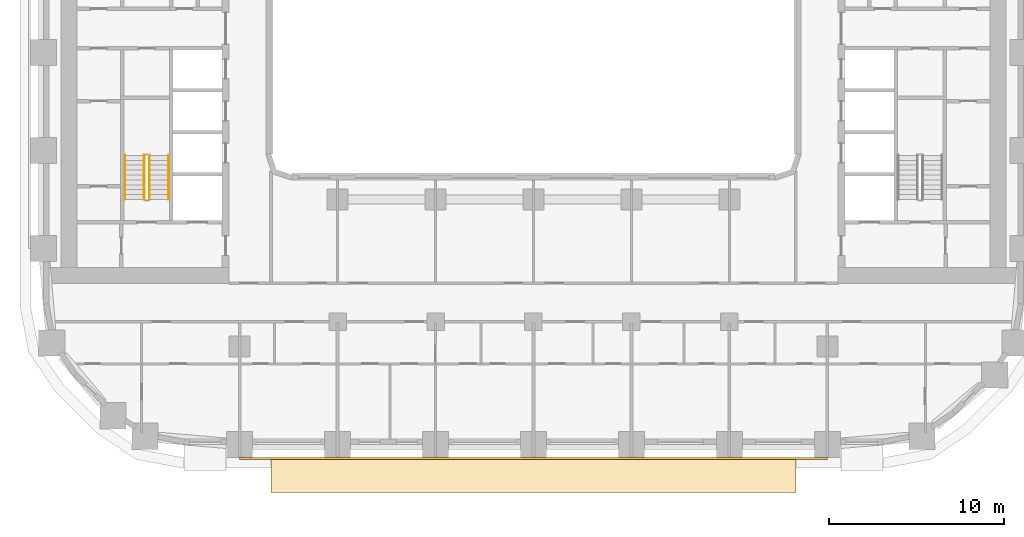
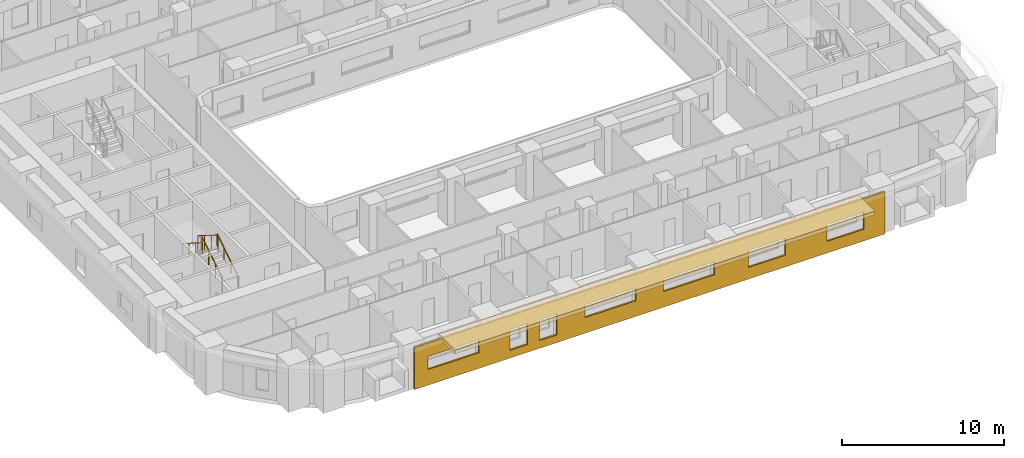
# One storey, part 12 of 22: 4 railings, 2 coverings.
"""IFC4 building model written with IfcOpenShell, lengths in metres."""

from ifc_helpers import new_model, si_unit, direction, frame, origin, origin_2d, place, context, subcontext, project, spatial, polyline, circle, outline, extrude, material, layer, layer_set, type_object, element, save


model = new_model("IFC4")

# Units and contexts
model_context = context("Model", 3, precision=1e-05, world=origin(), true_north=direction((0.0, 1.0)))
body_context = subcontext(model_context, "Body", "Model", "MODEL_VIEW")
ifc_project = project(units=[si_unit("LENGTHUNIT", "METRE"), si_unit("AREAUNIT", "SQUARE_METRE"), si_unit("VOLUMEUNIT", "CUBIC_METRE"), si_unit("PLANEANGLEUNIT", "RADIAN"), si_unit("MASSUNIT", "GRAM", prefix="KILO")], contexts=[model_context])

# Site, building, storey
site_placement = place(None, origin())
site = spatial("IfcSite", under=ifc_project, at=site_placement, CompositionType="ELEMENT")
building_placement = place(site_placement, origin())
building = spatial("IfcBuilding", under=site, at=building_placement, Name="Kiln Ring Residences", CompositionType="ELEMENT")
storey_placement = place(building_placement, frame((0.0, 0.0, 44.5)))
storey = spatial("IfcBuildingStorey", under=building, at=storey_placement, Name="L10", CompositionType="ELEMENT", Elevation=44.5)

# Railings
ifc_material_1 = material(Name="Stainless steel", Category="steel")
railing_type_1 = type_object("IfcRailingType", Name="CORE-STAIR-GUARD", PredefinedType="GUARDRAIL", material=ifc_material_1)
railing_1_placement = place(storey_placement, frame((-21.949951171875, -8.39990234375, 0.175048828125)))
element("IfcRailing", 1, at=railing_1_placement, inside=storey, type_object=railing_type_1, Name="L10 W-STS stair guard 1", PredefinedType="GUARDRAIL", context=body_context, shape_type="SweptSolid", body=[
    extrude(circle(Radius=0.02392578125, at=origin_2d()), frame((0.0, 0.0, 1.076171875), z_axis=(0.0, 0.848007534815, 0.529984170421), x_axis=(-1.0, 0.0, 0.0)), (0.0, 0.0, 1.0), 2.9716796875),
    extrude(circle(Radius=0.02099609375, at=origin_2d()), origin(), (0.0, 0.0, 1.0), 1.052001953125),
    extrude(circle(Radius=0.02099609375, at=origin_2d()), frame((0.0, 0.840087890625, 0.52490234375)), (0.0, 0.0, 1.0), 1.052001953125),
    extrude(circle(Radius=0.02099609375, at=origin_2d()), frame((0.0, 1.679931640625, 1.050048828125)), (0.0, 0.0, 1.0), 1.052001953125),
    extrude(circle(Radius=0.02099609375, at=origin_2d()), frame((0.0, 2.52001953125, 1.574951171875)), (0.0, 0.0, 1.0), 1.052001953125),
])
railing_2_placement = place(storey_placement, frame((-22.25, -5.8798828125, 1.925048828125)))
element("IfcRailing", 2, at=railing_2_placement, inside=storey, type_object=railing_type_1, Name="L10 W-STS stair guard 3", PredefinedType="GUARDRAIL", context=body_context, shape_type="SweptSolid", body=[
    extrude(circle(Radius=0.02392578125, at=origin_2d()), frame((0.0, 0.0, 1.076171875), z_axis=(0.0, -0.848007534815, 0.529984170421), x_axis=(1.0, 0.0, 0.0)), (0.0, 0.0, 1.0), 2.9716796875),
    extrude(circle(Radius=0.02099609375, at=origin_2d()), origin(), (0.0, 0.0, 1.0), 1.052001953125),
    extrude(circle(Radius=0.02099609375, at=origin_2d()), frame((0.0, -0.840087890625, 0.52490234375)), (0.0, 0.0, 1.0), 1.052001953125),
    extrude(circle(Radius=0.02099609375, at=origin_2d()), frame((0.0, -1.679931640625, 1.050048828125)), (0.0, 0.0, 1.0), 1.052001953125),
    extrude(circle(Radius=0.02099609375, at=origin_2d()), frame((0.0, -2.52001953125, 1.574951171875)), (0.0, 0.0, 1.0), 1.052001953125),
])
ifc_material_2 = material(Name="Stainless steel", Category="steel")
railing_type_2 = type_object("IfcRailingType", Name="CORE-STAIR-HANDRAIL", PredefinedType="HANDRAIL", material=ifc_material_2)
railing_3_placement = place(storey_placement, frame((-20.85009765625, -8.39990234375, 0.175048828125)))
element("IfcRailing", 3, at=railing_3_placement, inside=storey, type_object=railing_type_2, Name="L10 W-STS stair handrail 1", PredefinedType="HANDRAIL", context=body_context, shape_type="SweptSolid", body=[
    extrude(circle(Radius=0.02392578125, at=origin_2d()), frame((0.0, 0.0, 0.8759765625), z_axis=(0.0, 0.848007534815, 0.529984170421), x_axis=(-1.0, 0.0, 0.0)), (0.0, 0.0, 1.0), 2.9716796875),
    extrude(circle(Radius=0.02099609375, at=origin_2d()), origin(), (0.0, 0.0, 1.0), 0.851806640625),
    extrude(circle(Radius=0.02099609375, at=origin_2d()), frame((0.0, 0.840087890625, 0.52490234375)), (0.0, 0.0, 1.0), 0.851806640625),
    extrude(circle(Radius=0.02099609375, at=origin_2d()), frame((0.0, 1.679931640625, 1.050048828125)), (0.0, 0.0, 1.0), 0.851806640625),
    extrude(circle(Radius=0.02099609375, at=origin_2d()), frame((0.0, 2.52001953125, 1.574951171875)), (0.0, 0.0, 1.0), 0.851806640625),
])
railing_4_placement = place(storey_placement, frame((-23.35009765625, -5.8798828125, 1.925048828125)))
element("IfcRailing", 4, at=railing_4_placement, inside=storey, type_object=railing_type_2, Name="L10 W-STS stair handrail 2", PredefinedType="HANDRAIL", context=body_context, shape_type="SweptSolid", body=[
    extrude(circle(Radius=0.02392578125, at=origin_2d()), frame((0.0, 0.0, 0.8759765625), z_axis=(0.0, -0.848007534815, 0.529984170421), x_axis=(1.0, 0.0, 0.0)), (0.0, 0.0, 1.0), 2.9716796875),
    extrude(circle(Radius=0.02099609375, at=origin_2d()), origin(), (0.0, 0.0, 1.0), 0.851806640625),
    extrude(circle(Radius=0.02099609375, at=origin_2d()), frame((0.0, -0.840087890625, 0.52490234375)), (0.0, 0.0, 1.0), 0.851806640625),
    extrude(circle(Radius=0.02099609375, at=origin_2d()), frame((0.0, -1.679931640625, 1.050048828125)), (0.0, 0.0, 1.0), 0.851806640625),
    extrude(circle(Radius=0.02099609375, at=origin_2d()), frame((0.0, -2.52001953125, 1.574951171875)), (0.0, 0.0, 1.0), 0.851806640625),
])

# Coverings
ifc_material_3 = material(Name="Brick masonry, dark clay brick", Category="masonry")
ifc_layer_1 = layer(ifc_material_3, 0.1201171875)
ifc_layer_set_1 = layer_set([ifc_layer_1], Name="RAINSCREEN PANEL 120")
covering_type_1 = type_object("IfcCoveringType", Name="RAINSCREEN PANEL 120", PredefinedType="CLADDING", material=ifc_layer_set_1)
covering_1_placement = place(storey_placement, frame((-16.800048828125, -23.2099609375, 0.0), z_axis=(0.0, 0.0, 1.0), x_axis=(1.0, 0.0, 0.0)))
element("IfcCovering", 5, at=covering_1_placement, inside=storey, type_object=covering_type_1, Name="RAINSCREEN L10", PredefinedType="CLADDING", context=body_context, shape_type="SweptSolid", body=[
    extrude(outline(polyline([(0.0, 0.0), (33.60009765625, 0.0), (33.60009765625, 3.199951171875), (0.0, 3.199951171875), (0.0, 0.0)]), holes=[polyline([(8.0576171875, 0.580078125), (8.0576171875, 2.169921875), (6.8173828125, 2.169921875), (6.8173828125, 0.580078125), (8.0576171875, 0.580078125)]), polyline([(8.9423828125, 0.580078125), (10.1826171875, 0.580078125), (10.1826171875, 2.169921875), (8.9423828125, 2.169921875), (8.9423828125, 0.580078125)]), polyline([(23.8798828125, 0.8798828125), (26.52001953125, 0.8798828125), (26.52001953125, 2.169921875), (23.8798828125, 2.169921875), (23.8798828125, 0.8798828125)]), polyline([(29.47998046875, 0.8798828125), (32.1201171875, 0.8798828125), (32.1201171875, 2.169921875), (29.47998046875, 2.169921875), (29.47998046875, 0.8798828125)]), polyline([(0.97998046875, 1.179931640625), (4.6201171875, 1.179931640625), (4.6201171875, 2.169921875), (0.97998046875, 2.169921875), (0.97998046875, 1.179931640625)]), polyline([(12.179931640625, 1.179931640625), (15.820068359375, 1.179931640625), (15.820068359375, 2.169921875), (12.179931640625, 2.169921875), (12.179931640625, 1.179931640625)]), polyline([(17.780029296875, 1.179931640625), (21.419921875, 1.179931640625), (21.419921875, 2.169921875), (17.780029296875, 2.169921875), (17.780029296875, 1.179931640625)])]), frame((0.0, 0.06005859375, 0.0), z_axis=(0.0, -1.0, 0.0), x_axis=(1.0, 0.0, 0.0)), (0.0, 0.0, 1.0), 0.1201171875),
])
ifc_material_4 = material(Name="Black powder-coated steel", Category="steel")
ifc_layer_2 = layer(ifc_material_4, 0.300048828125)
ifc_layer_set_2 = layer_set([ifc_layer_2], Name="SUNSHADE BAND 2000")
covering_type_2 = type_object("IfcCoveringType", Name="SUNSHADE BAND 2000", PredefinedType="CLADDING", material=ifc_layer_set_2)
covering_2_placement = place(storey_placement, frame((0.0, 0.0, 3.199951171875)))
element("IfcCovering", 6, at=covering_2_placement, inside=storey, type_object=covering_type_2, Name="SUNSHADE BAND L10", PredefinedType="CLADDING", context=body_context, shape_type="SweptSolid", body=[
    extrude(outline(polyline([(-15.0, -25.14990234375), (15.0, -25.14990234375), (15.0, -23.14990234375), (-15.0, -23.14990234375), (-15.0, -25.14990234375)])), origin(), (0.0, 0.0, 1.0), 0.300048828125),
])

save(model, "model.ifc")
